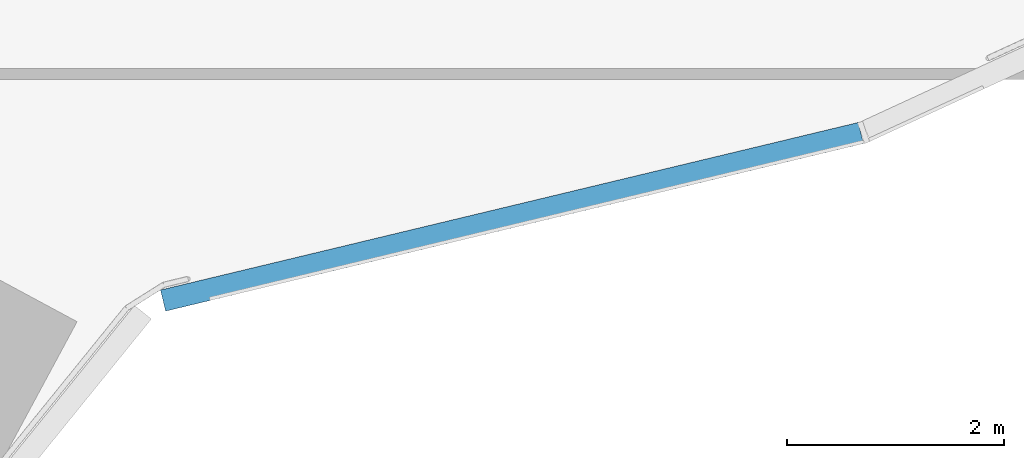
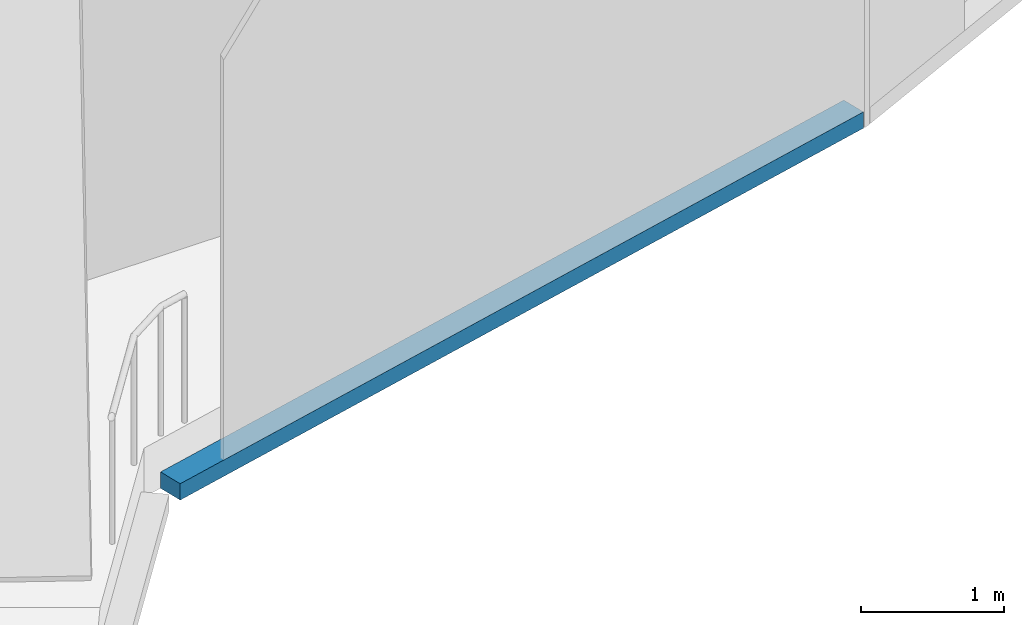
# One storey, part 5 of 26: 1 member, 1 element without a shape of its own.
"""IFC4 building model written with IfcOpenShell, lengths in metres."""

from ifc_helpers import new_model, si_unit, direction, frame, origin, origin_2d, place, context, subcontext, project, spatial, rectangle, extrude, material, material_profile, profile_set, type_object, element, aggregate, save


model = new_model("IFC4")

# Units and contexts
model_context = context("Model", 3, precision=1e-05, world=origin(), true_north=direction((0.0, 1.0)))
body_context = subcontext(model_context, "Body", "Model", "MODEL_VIEW")
ifc_project = project(units=[si_unit("LENGTHUNIT", "METRE"), si_unit("AREAUNIT", "SQUARE_METRE"), si_unit("VOLUMEUNIT", "CUBIC_METRE"), si_unit("PLANEANGLEUNIT", "RADIAN"), si_unit("MASSUNIT", "GRAM", prefix="KILO")], contexts=[model_context])

# Site, building, storey
site_placement = place(None, origin())
site = spatial("IfcSite", under=ifc_project, at=site_placement, CompositionType="ELEMENT")
building_placement = place(site_placement, origin())
building = spatial("IfcBuilding", under=site, at=building_placement, Name="Orlundy Tower", CompositionType="ELEMENT")
storey_placement = place(building_placement, frame((0.0, 0.0, 228.0)))
storey = spatial("IfcBuildingStorey", under=building, at=storey_placement, Name="L60", CompositionType="ELEMENT", Elevation=228.0)

# Curtain wall, member
ifc_material_1 = material(Name="Aluminium bronze anodised", Category="aluminium")
curtain_wall_type = type_object("IfcCurtainWallType", Name="CW5 wall", PredefinedType="NOTDEFINED", material=ifc_material_1)
curtain_wall_placement = place(storey_placement, origin())
curtain_wall = element("IfcCurtainWall", 1, at=curtain_wall_placement, inside=storey, type_object=curtain_wall_type, Name="CW5 run 029", PredefinedType="NOTDEFINED")
ifc_material_2 = material(Name="Aluminium bronze anodised", Category="aluminium")
ifc_material_profile = material_profile(ifc_material_2, rectangle(XDim=0.199951171875, YDim=0.139892578125, at=origin_2d()), Name="CW5 transom 200x140")
ifc_profile_set = profile_set([ifc_material_profile], Name="Aluminium bronze anodised")
member_type = type_object("IfcMemberType", Name="CW5 transom 200x140", PredefinedType="USERDEFINED", material=ifc_profile_set)
member_placement = place(storey_placement, frame((33.848388671875, -12.544921875, -0.35009765625), z_axis=(-0.972366509003, -0.233459572879, 0.0), x_axis=(0.233459572879, -0.972366509003, 0.0)))
member = element("IfcMember", 2, at=member_placement, type_object=member_type, Name="CW5 transom", ObjectType="TRANSOM", PredefinedType="USERDEFINED", context=body_context, shape_type="SweptSolid", body=[
    extrude(rectangle(XDim=0.199951171875, YDim=0.139892578125, at=origin_2d()), origin(), (0.0, 0.0, 1.0), 6.609130859375),
])
aggregate(curtain_wall, [member])

save(model, "model.ifc")
